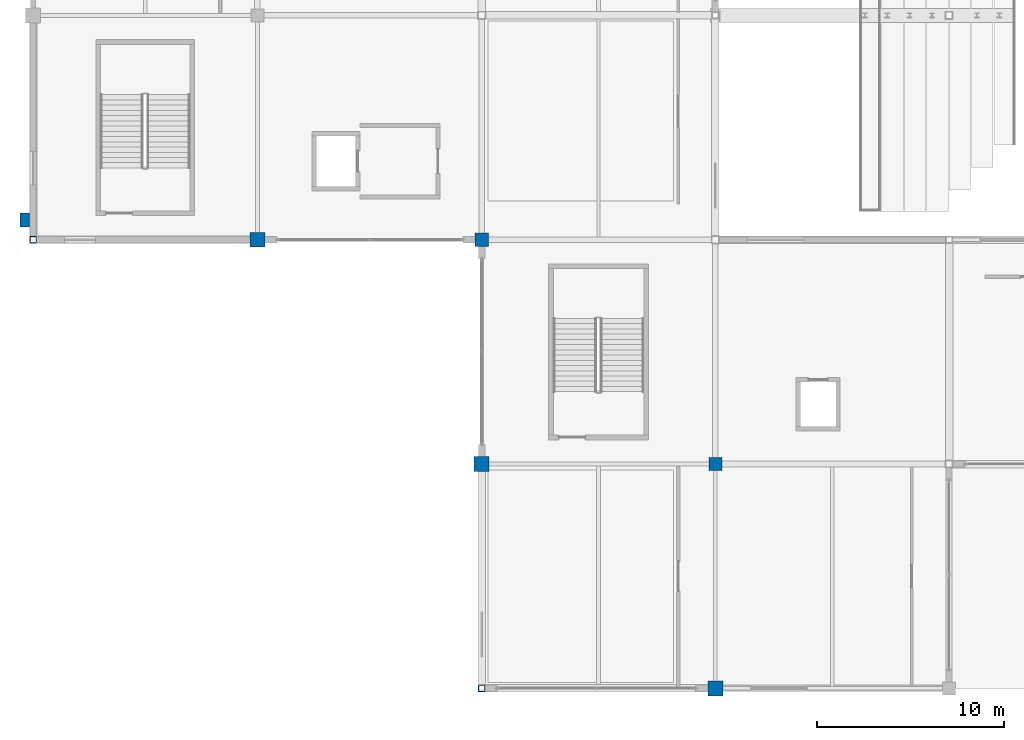
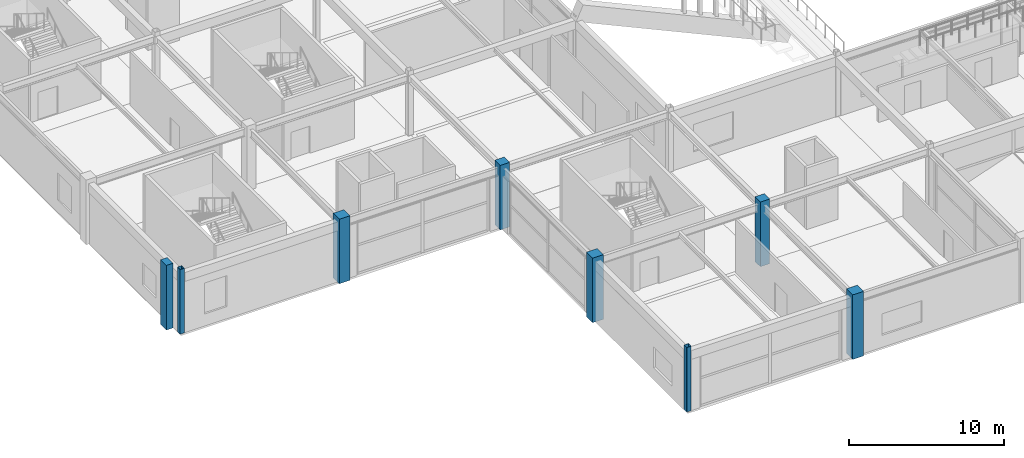
# One storey, part 1 of 128: 8 columns.
"""IFC4 building model written with IfcOpenShell, lengths in metres."""

from ifc_helpers import new_model, si_unit, direction, frame, origin, origin_2d, place, context, subcontext, project, spatial, rectangle, hollow_rectangle, extrude, material, material_profile, profile_set, type_object, element, save


model = new_model("IFC4")

# Units and contexts
model_context = context("Model", 3, precision=1e-05, world=origin(), true_north=direction((0.0, 1.0)))
body_context = subcontext(model_context, "Body", "Model", "MODEL_VIEW")
ifc_project = project(units=[si_unit("LENGTHUNIT", "METRE"), si_unit("AREAUNIT", "SQUARE_METRE"), si_unit("VOLUMEUNIT", "CUBIC_METRE"), si_unit("PLANEANGLEUNIT", "RADIAN"), si_unit("MASSUNIT", "GRAM", prefix="KILO")], contexts=[model_context])

# Site, building, storey
site_placement = place(None, origin())
site = spatial("IfcSite", under=ifc_project, at=site_placement, CompositionType="ELEMENT")
building_placement = place(site_placement, origin())
building = spatial("IfcBuilding", under=site, at=building_placement, Name="Kazenohara Klinker Stadium", CompositionType="ELEMENT")
storey_placement = place(building_placement, frame((0.0, 0.0, 15.300048828125)))
storey = spatial("IfcBuildingStorey", under=building, at=storey_placement, Name="L03", CompositionType="ELEMENT", Elevation=15.300048828125)

# Columns
ifc_material_1 = material(Name="Concrete C40/50", Category="concrete")
ifc_material_profile_1 = material_profile(ifc_material_1, rectangle(XDim=0.800048828125, YDim=0.800048828125, at=origin_2d()), Name="RC-COL-800x800")
ifc_profile_set_1 = profile_set([ifc_material_profile_1], Name="Concrete C40/50")
column_type_1 = type_object("IfcColumnType", Name="COL-RC05", PredefinedType="COLUMN", material=ifc_profile_set_1)
for number, where, z_axis, x_axis, name in (
    (1, (12.0, 36.0, 0.0), (0.0, 0.0, 1.0), (1.0, 0.0, 0.0), "Column C05 L03 2/D"),
    (2, (24.0, 24.0, 0.0), (0.0, 0.0, 1.0), (1.0, 0.0, 0.0), "Column C05 L03 3/C"),
    (3, (36.5, 12.0, 0.0), (0.0, 0.0, 1.0), (1.0, 0.0, 0.0), "Column C05 L03 4/B"),
):
    element("IfcColumn", number, at=place(storey_placement, frame(where, z_axis=z_axis, x_axis=x_axis)), inside=storey, type_object=column_type_1, Name=name, PredefinedType="COLUMN", context=body_context, shape_type="SweptSolid", body=[
        extrude(rectangle(XDim=0.800048828125, YDim=0.800048828125, at=origin_2d()), origin(), (0.0, 0.0, 1.0), 5.099853515625),
    ])
ifc_material_profile_2 = material_profile(ifc_material_1, rectangle(XDim=0.699951171875, YDim=0.699951171875, at=origin_2d()), Name="RC-COL-700x700")
ifc_profile_set_2 = profile_set([ifc_material_profile_2], Name="Concrete C40/50")
column_type_2 = type_object("IfcColumnType", Name="COL-RC06", PredefinedType="COLUMN", material=ifc_profile_set_2)
for number, where, z_axis, x_axis, name in (
    (4, (24.0, 36.0, 0.0), (0.0, 0.0, 1.0), (1.0, 0.0, 0.0), "Column C06 L03 3/D"),
    (5, (36.5, 24.0, 0.0), (0.0, 0.0, 1.0), (1.0, 0.0, 0.0), "Column C06 L03 4/C"),
):
    element("IfcColumn", number, at=place(storey_placement, frame(where, z_axis=z_axis, x_axis=x_axis)), inside=storey, type_object=column_type_2, Name=name, PredefinedType="COLUMN", context=body_context, shape_type="SweptSolid", body=[
        extrude(rectangle(XDim=0.699951171875, YDim=0.699951171875, at=origin_2d()), origin(), (0.0, 0.0, 1.0), 5.099853515625),
    ])
ifc_material_2 = material(Name="Steel S355", Category="steel")
ifc_material_profile_3 = material_profile(ifc_material_2, hollow_rectangle(XDim=0.35009765625, YDim=0.35009765625, WallThickness=0.01611328125, InnerFilletRadius=0.01611328125, OuterFilletRadius=0.031982421875, at=origin_2d()), Name="SHS-350x350x16")
ifc_profile_set_3 = profile_set([ifc_material_profile_3], Name="Steel S355")
column_type_3 = type_object("IfcColumnType", Name="COL-ST02", PredefinedType="COLUMN", material=ifc_profile_set_3)
for number, where, z_axis, x_axis, name in (
    (6, (0.0, 36.0, 0.0), (0.0, 0.0, 1.0), (1.0, 0.0, 0.0), "Column SC02 L03 1/D"),
    (7, (24.0, 12.0, 0.0), (0.0, 0.0, 1.0), (1.0, 0.0, 0.0), "Column SC02 L03 3/B"),
):
    element("IfcColumn", number, at=place(storey_placement, frame(where, z_axis=z_axis, x_axis=x_axis)), inside=storey, type_object=column_type_3, Name=name, PredefinedType="COLUMN", context=body_context, shape_type="SweptSolid", body=[
        extrude(hollow_rectangle(XDim=0.35009765625, YDim=0.35009765625, WallThickness=0.01611328125, InnerFilletRadius=0.01611328125, OuterFilletRadius=0.031982421875, at=origin_2d()), origin(), (0.0, 0.0, 1.0), 5.099853515625),
    ])
ifc_material_profile_4 = material_profile(ifc_material_1, rectangle(XDim=0.5, YDim=0.75, at=origin_2d()), Name="RC-PILASTER-500x750")
ifc_profile_set_4 = profile_set([ifc_material_profile_4], Name="Concrete C40/50")
column_type_4 = type_object("IfcColumnType", Name="PIL-RC02", PredefinedType="PILASTER", material=ifc_profile_set_4)
column_placement = place(storey_placement, frame((-0.449951171875, 37.050048828125, 0.0), z_axis=(0.0, 0.0, 1.0), x_axis=(1.0, 0.0, 0.0)))
element("IfcColumn", 8, at=column_placement, inside=storey, type_object=column_type_4, Name="Pleated facade pilaster PL02 L03 West-03", PredefinedType="PILASTER", context=body_context, shape_type="SweptSolid", body=[
    extrude(rectangle(XDim=0.5, YDim=0.75, at=origin_2d()), origin(), (0.0, 0.0, 1.0), 5.099853515625),
])

save(model, "model.ifc")
